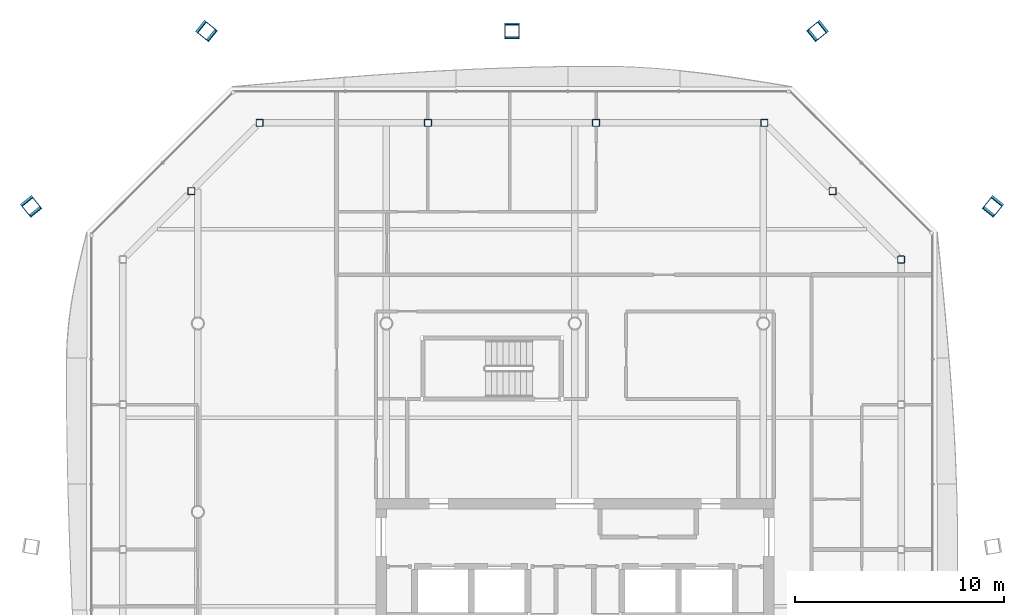
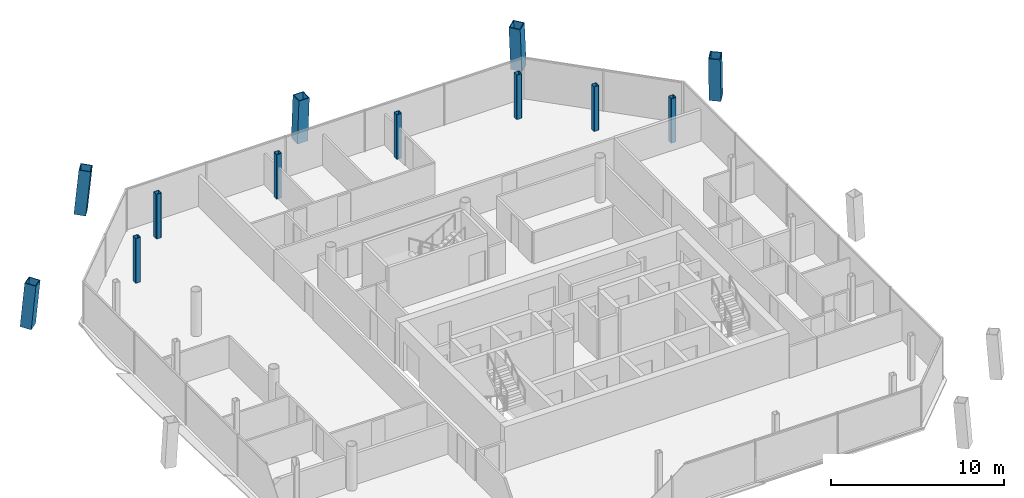
# One storey, part 3 of 20: 12 columns.
"""IFC4 building model written with IfcOpenShell, lengths in metres."""

from ifc_helpers import new_model, si_unit, direction, frame, origin, origin_2d, place, context, subcontext, project, spatial, hollow_rectangle, extrude, material, material_profile, profile_set, type_object, element, save


model = new_model("IFC4")

# Units and contexts
model_context = context("Model", 3, precision=1e-05, world=origin(), true_north=direction((0.0, 1.0)))
body_context = subcontext(model_context, "Body", "Model", "MODEL_VIEW")
ifc_project = project(units=[si_unit("LENGTHUNIT", "METRE"), si_unit("AREAUNIT", "SQUARE_METRE"), si_unit("VOLUMEUNIT", "CUBIC_METRE"), si_unit("PLANEANGLEUNIT", "RADIAN"), si_unit("MASSUNIT", "GRAM", prefix="KILO")], contexts=[model_context])

# Site, building, storey
site_placement = place(None, origin())
site = spatial("IfcSite", under=ifc_project, at=site_placement, CompositionType="ELEMENT")
building_placement = place(site_placement, origin())
building = spatial("IfcBuilding", under=site, at=building_placement, Name="Tskaro Facet Tower", CompositionType="ELEMENT")
storey_placement = place(building_placement, frame((0.0, 0.0, 194.25)))
storey = spatial("IfcBuildingStorey", under=building, at=storey_placement, Name="L49", CompositionType="ELEMENT", Elevation=194.25)

# Columns
ifc_material_1 = material(Name="Steel S460M", Category="steel")
ifc_material_profile_1 = material_profile(ifc_material_1, hollow_rectangle(XDim=0.699951171875, YDim=0.699951171875, WallThickness=0.044921875, at=origin_2d()), Name="BOX 700x700x45")
ifc_profile_set_1 = profile_set([ifc_material_profile_1], Name="Steel S460M")
column_type_1 = type_object("IfcColumnType", Name="BOX 700x700x45 mega column", PredefinedType="COLUMN", material=ifc_profile_set_1)
for number, where, z_axis, x_axis, name in (
    (1, (19.998046875, 14.6298828125, 0.0), (-0.057883201194, -0.071697991879, 0.995745415746), (0.778082876381, -0.628161633246, 0.0), "BOX 700x700x45 MC06/4"),
    (2, (11.6298828125, 22.998046875, 0.0), (-0.071697991879, -0.057883201194, 0.995745415746), (0.628161633246, -0.778082876381, 0.0), "BOX 700x700x45 MC07/4"),
):
    element("IfcColumn", number, at=place(storey_placement, frame(where, z_axis=z_axis, x_axis=x_axis)), inside=storey, type_object=column_type_1, Name=name, PredefinedType="COLUMN", context=body_context, shape_type="SweptSolid", body=[
        extrude(hollow_rectangle(XDim=0.699951171875, YDim=0.699951171875, WallThickness=0.044921875, at=origin_2d()), origin(), (0.0, 0.0, 1.0), 3.163330078125),
    ])
column_placement = place(storey_placement, frame((-3.0, 22.998046875, 0.0), z_axis=(0.0, -0.058032554517, 0.998314691175), x_axis=(1.0, 0.0, 0.0)))
element("IfcColumn", 3, at=column_placement, inside=storey, type_object=column_type_1, Name="BOX 700x700x45 MC08/4", PredefinedType="COLUMN", context=body_context, shape_type="SweptSolid", body=[
    extrude(hollow_rectangle(XDim=0.699951171875, YDim=0.699951171875, WallThickness=0.044921875, at=origin_2d()), origin(), (0.0, 0.0, 1.0), 3.1552734375),
])
for number, where, z_axis, x_axis, name in (
    (4, (-17.6298828125, 22.998046875, 0.0), (0.071697991879, -0.057883201194, 0.995745415746), (0.628161633246, 0.778082876381, 0.0), "BOX 700x700x45 MC09/4"),
    (5, (-25.998046875, 14.6298828125, 0.0), (0.057883201194, -0.071697991879, 0.995745415746), (0.778082876381, 0.628161633246, 0.0), "BOX 700x700x45 MC10/4"),
):
    element("IfcColumn", number, at=place(storey_placement, frame(where, z_axis=z_axis, x_axis=x_axis)), inside=storey, type_object=column_type_1, Name=name, PredefinedType="COLUMN", context=body_context, shape_type="SweptSolid", body=[
        extrude(hollow_rectangle(XDim=0.699951171875, YDim=0.699951171875, WallThickness=0.044921875, at=origin_2d()), origin(), (0.0, 0.0, 1.0), 3.163330078125),
    ])
ifc_material_2 = material(Name="Steel S355J2H", Category="steel")
ifc_material_profile_2 = material_profile(ifc_material_2, hollow_rectangle(XDim=0.35009765625, YDim=0.35009765625, WallThickness=0.02001953125, InnerFilletRadius=0.030029296875, OuterFilletRadius=0.050048828125, at=origin_2d()), Name="SHS 350x350x20")
ifc_profile_set_2 = profile_set([ifc_material_profile_2], Name="Steel S355J2H")
column_type_2 = type_object("IfcColumnType", Name="SHS 350x350x20 ring column", PredefinedType="COLUMN", material=ifc_profile_set_2)
for number, where, z_axis, x_axis, name in (
    (6, (15.5830078125, 12.0458984375, 0.0), (0.0, 0.0, 1.0), (1.0, 0.0, 0.0), "SHS 350x350x20 RNE-1/4"),
    (7, (12.31396484375, 15.31396484375, 0.0), (0.0, 0.0, 1.0), (1.0, 0.0, 0.0), "SHS 350x350x20 RNE-2/4"),
    (8, (9.0458984375, 18.5830078125, 0.0), (0.0, 0.0, 1.0), (1.0, 0.0, 0.0), "SHS 350x350x20 RN-1/4"),
    (9, (1.014892578125, 18.5830078125, 0.0), (0.0, 0.0, 1.0), (1.0, 0.0, 0.0), "SHS 350x350x20 RN-2/4"),
    (10, (-7.014892578125, 18.5830078125, 0.0), (0.0, 0.0, 1.0), (1.0, 0.0, 0.0), "SHS 350x350x20 RN-3/4"),
    (11, (-15.0458984375, 18.5830078125, 0.0), (0.0, 0.0, 1.0), (1.0, 0.0, 0.0), "SHS 350x350x20 RNW-1/4"),
    (12, (-18.31396484375, 15.31396484375, 0.0), (0.0, 0.0, 1.0), (1.0, 0.0, 0.0), "SHS 350x350x20 RNW-2/4"),
):
    element("IfcColumn", number, at=place(storey_placement, frame(where, z_axis=z_axis, x_axis=x_axis)), inside=storey, type_object=column_type_2, Name=name, PredefinedType="COLUMN", context=body_context, shape_type="SweptSolid", body=[
        extrude(hollow_rectangle(XDim=0.35009765625, YDim=0.35009765625, WallThickness=0.02001953125, InnerFilletRadius=0.030029296875, OuterFilletRadius=0.050048828125, at=origin_2d()), origin(), (0.0, 0.0, 1.0), 3.14990234375),
    ])

save(model, "model.ifc")
